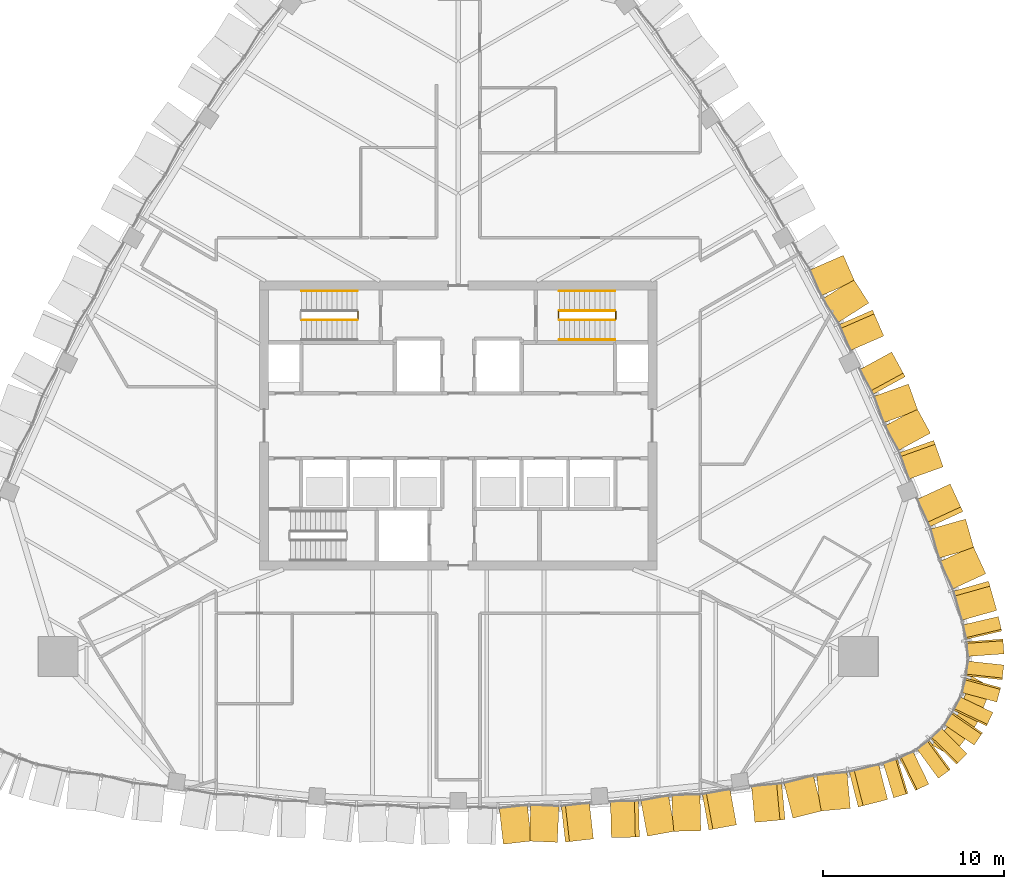
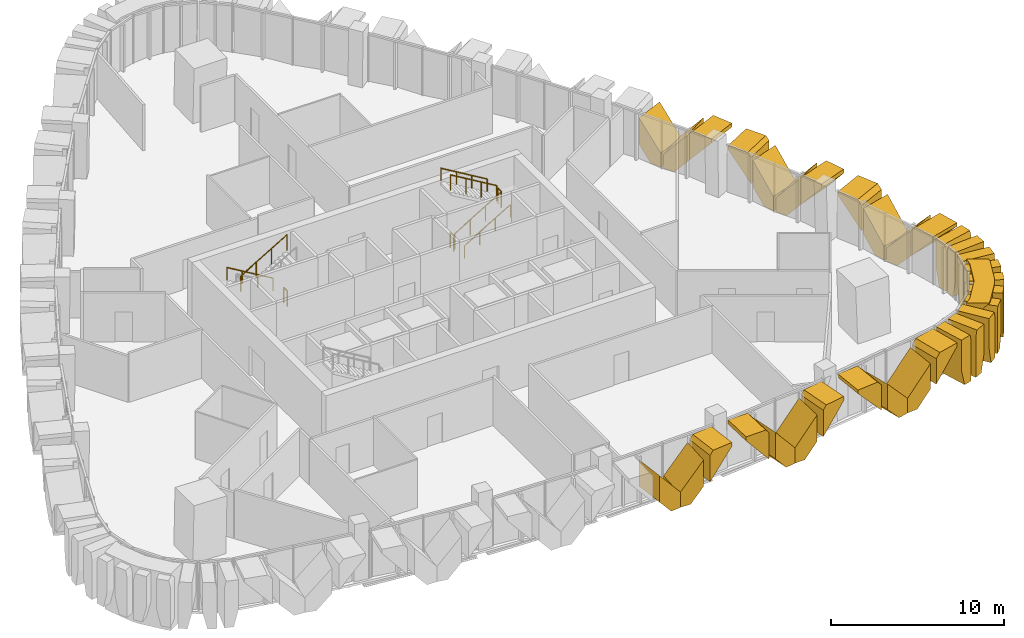
# One storey, part 17 of 19: 33 coverings, 9 railings.
"""IFC4 building model written with IfcOpenShell, lengths in metres."""

from ifc_helpers import new_model, si_unit, direction, frame, origin, origin_2d, place, context, subcontext, project, spatial, polyline, circle, outline, extrude, material, layer, layer_set, type_object, element, save


model = new_model("IFC4")

# Units and contexts
model_context = context("Model", 3, precision=1e-05, world=origin(), true_north=direction((0.0, 1.0)))
body_context = subcontext(model_context, "Body", "Model", "MODEL_VIEW")
ifc_project = project(units=[si_unit("LENGTHUNIT", "METRE"), si_unit("AREAUNIT", "SQUARE_METRE"), si_unit("VOLUMEUNIT", "CUBIC_METRE"), si_unit("PLANEANGLEUNIT", "RADIAN"), si_unit("MASSUNIT", "GRAM", prefix="KILO")], contexts=[model_context])

# Site, building, storey
site_placement = place(None, origin())
site = spatial("IfcSite", under=ifc_project, at=site_placement, CompositionType="ELEMENT")
building_placement = place(site_placement, origin())
building = spatial("IfcBuilding", under=site, at=building_placement, Name="Sierra Prisma Convention Tower", CompositionType="ELEMENT")
storey_placement = place(building_placement, frame((0.0, 0.0, 235.0)))
storey = spatial("IfcBuildingStorey", under=building, at=storey_placement, Name="L52", CompositionType="ELEMENT", Elevation=235.0)

# Coverings
ifc_material_1 = material(Name="Aluminium composite bronze anodised", Category="aluminium")
ifc_layer_1 = layer(ifc_material_1, 1.199951171875)
ifc_layer_set_1 = layer_set([ifc_layer_1], Name="Bronze corner pier")
covering_type_1 = type_object("IfcCoveringType", Name="Bronze corner pier", PredefinedType="CLADDING", material=ifc_layer_set_1)
covering_1_placement = place(storey_placement, frame((0.0, 0.0, -0.60009765625)))
element("IfcCovering", 1, at=covering_1_placement, inside=storey, type_object=covering_type_1, Name="Corner pier SE L52.1", PredefinedType="CLADDING", context=body_context, shape_type="SweptSolid", body=[
    extrude(outline(polyline([(29.423095703125, -14.772216796875), (28.76220703125, -16.411865234375), (28.593994140625, -16.702880859375), (27.504638671875, -18.094970703125), (27.29345703125, -18.298095703125), (26.160400390625, -17.64404296875), (26.559814453125, -17.355224609375), (27.649169921875, -15.963134765625), (28.31005859375, -14.32373046875), (28.3603515625, -13.83349609375), (29.493408203125, -14.48779296875), (29.423095703125, -14.772216796875)])), origin(), (0.0, 0.0, 1.0), 4.0),
])
ifc_material_2 = material(Name="Aluminium 6063-T6 bronze anodised", Category="aluminium")
ifc_layer_2 = layer(ifc_material_2, 2.0)
ifc_layer_set_2 = layer_set([ifc_layer_2], Name="Bronze crystal chevron frame")
covering_type_2 = type_object("IfcCoveringType", Name="Bronze crystal chevron frame", PredefinedType="CLADDING", material=ifc_layer_set_2)
covering_2_placement = place(storey_placement, frame((2.496337890625, -23.1845703125, 2.85302734375), z_axis=(0.11239015357, -0.993664155183, 9.224654e-06), x_axis=(1.03676e-06, -9.166208e-06, -0.999999999957)))
element("IfcCovering", 2, at=covering_2_placement, inside=storey, type_object=covering_type_2, Name="CW-2 chevron frame S4.1.2", PredefinedType="CLADDING", context=body_context, shape_type="SweptSolid", body=[
    extrude(outline(polyline([(0.0, 0.0), (1.8598632811708682, 0.0), (2.853027343956566, 0.8388066467819201), (2.8530273437131246, 1.5641081354339728), (1.8520507812557132, 1.5641081354339728), (0.0, 0.0)])), origin(), (0.0, 0.0, -1.0), 2.0),
])
covering_3_placement = place(storey_placement, frame((3.92626953125, -23.012939453125, 0.0), z_axis=(-0.044479301233, -0.999010306057, -1.2391676e-05), x_axis=(0.999010306134, -0.044479301236, -6.06e-10)))
element("IfcCovering", 3, at=covering_3_placement, inside=storey, type_object=covering_type_2, Name="CW-2 chevron frame S4.2.1", PredefinedType="CLADDING", context=body_context, shape_type="SweptSolid", body=[
    extrude(outline(polyline([(0.0, 0.0), (0.7253256485274129, 5.293955920339377e-23), (1.5640484759875073, 0.9931640635235155), (1.564048474861084, 2.8530273446307213), (-6.062398981989197e-10, 1.0009765624231481), (0.0, 0.0)])), origin(), (0.0, 0.0, -1.0), 2.0),
])
covering_4_placement = place(storey_placement, frame((7.486083984375, -22.8916015625, 3.280029296875), z_axis=(0.112370173205, -0.993666411588, 8.1585093e-05), x_axis=(-0.993666414895, -0.112370173578, 1.0687e-08)))
element("IfcCovering", 4, at=covering_4_placement, inside=storey, type_object=covering_type_2, Name="CW-2 chevron frame S4.2.2", PredefinedType="CLADDING", context=body_context, shape_type="SweptSolid", body=[
    extrude(outline(polyline([(0.0, 0.0), (1.333376599130333, 1.6940658945086007e-21), (1.56410813238236, 0.2731933769999483), (1.5641081125058587, 2.133056652060205), (-3.0031311269415766e-09, 0.2810058584397946), (0.0, 0.0)])), origin(), (0.0, 0.0, -1.0), 2.0),
])
covering_5_placement = place(storey_placement, frame((8.4775390625, -22.82421875, 3.280029296875), z_axis=(0.023691462687, -0.999719317899, 3.959562e-06), x_axis=(9.3808e-08, -3.958451e-06, -0.999999999992)))
element("IfcCovering", 5, at=covering_5_placement, inside=storey, type_object=covering_type_2, Name="CW-2 chevron frame S5.1.1", PredefinedType="CLADDING", context=body_context, shape_type="SweptSolid", body=[
    extrude(outline(polyline([(0.0, 0.0), (0.2839355468727742, 0.0), (2.1352539062374984, 1.556100806779041), (0.2702636718771186, 1.556100806779041), (-3.369114867585803e-11, 1.3289865055504513), (0.0, 0.0)])), origin(), (0.0, 0.0, -1.0), 2.0),
])
covering_6_placement = place(storey_placement, frame((10.474365234375, -22.741943359375, 2.855224609375), z_axis=(0.179821748669, -0.983699211491, -4.130661e-06), x_axis=(-7.42783e-07, 4.063328e-06, -0.999999999991)))
element("IfcCovering", 6, at=covering_6_placement, inside=storey, type_object=covering_type_2, Name="CW-2 chevron frame S5.1.2", PredefinedType="CLADDING", context=body_context, shape_type="SweptSolid", body=[
    extrude(outline(polyline([(0.0, 0.0), (1.8649902343590894, 0.0), (2.8552246094164877, 0.8321714326399974), (2.8552246093675375, 1.55588039083688), (1.8513183593761018, 1.55588039083688), (0.0, 0.0)])), origin(), (0.0, 0.0, -1.0), 2.0),
])
covering_7_placement = place(storey_placement, frame((11.88134765625, -22.474853515625, 0.0), z_axis=(0.023726256645, -0.999718491194, -5.5772971e-05), x_axis=(0.999718492749, 0.023726256682, -1.2329e-08)))
element("IfcCovering", 7, at=covering_7_placement, inside=storey, type_object=covering_type_2, Name="CW-2 chevron frame S5.2.1", PredefinedType="CLADDING", context=body_context, shape_type="SweptSolid", body=[
    extrude(outline(polyline([(0.0, 0.0), (0.7238403751786517, 0.0), (1.5561007935909732, 0.9902343957249272), (1.556100770597944, 2.855224627199285), (-1.2376925842659378e-08, 1.0039062484386123), (0.0, 0.0)])), origin(), (0.0, 0.0, -1.0), 2.0),
])
covering_8_placement = place(storey_placement, frame((15.40869140625, -22.11279296875, 3.280029296875), z_axis=(0.179828920151, -0.983697900149, -2.6835464e-05), x_axis=(-0.983697900503, -0.179828920216, 1.165e-09)))
element("IfcCovering", 8, at=covering_8_placement, inside=storey, type_object=covering_type_2, Name="CW-2 chevron frame S5.2.2", PredefinedType="CLADDING", context=body_context, shape_type="SweptSolid", body=[
    extrude(outline(polyline([(0.0, 0.0), (1.3288015312950088, -8.470329472543003e-22), (1.5558803905106013, 0.2702636737843039), (1.55588038833862, 2.135253907487775), (-3.306734175482425e-10, 0.28393554677276306), (0.0, 0.0)])), origin(), (0.0, 0.0, -1.0), 2.0),
])
covering_9_placement = place(storey_placement, frame((16.425048828125, -21.974853515625, 3.280029296875), z_axis=(0.091847381881, -0.995773095833, 7.550063e-06), x_axis=(6.93454e-07, -7.51815e-06, -0.999999999971)))
element("IfcCovering", 9, at=covering_9_placement, inside=storey, type_object=covering_type_2, Name="CW-2 chevron frame S6.1.1", PredefinedType="CLADDING", context=body_context, shape_type="SweptSolid", body=[
    extrude(outline(polyline([(0.0, 0.0), (0.24218749999309724, 0.0), (2.10351562495786, 1.6799523433085506), (0.3125000000089068, 1.6799523433085506), (-1.1589959302129582e-10, 1.3980004676444595), (0.0, 0.0)])), origin(), (0.0, 0.0, -1.0), 2.0),
])
covering_10_placement = place(storey_placement, frame((18.534912109375, -21.745361328125, 2.823486328125), z_axis=(0.246452552821, -0.96915485796, -2.2360922e-05), x_axis=(-5.510906e-06, 2.1671196e-05, -0.99999999975)))
element("IfcCovering", 10, at=covering_10_placement, inside=storey, type_object=covering_type_2, Name="CW-2 chevron frame S6.1.2", PredefinedType="CLADDING", context=body_context, shape_type="SweptSolid", body=[
    extrude(outline(polyline([(0.0, 0.0), (1.7910156245522366, 0.0), (2.8234863293119763, 0.931839763855919), (2.8234863279353597, 1.6799993357035765), (1.8613281250509046, 1.6799993357035765), (0.0, 0.0)])), origin(), (0.0, 0.0, -1.0), 2.0),
])
covering_11_placement = place(storey_placement, frame((20.04052734375, -21.352294921875, 0.0), z_axis=(0.091699177259, -0.995786754717, 4.417036e-06), x_axis=(0.995786754727, 0.09169917726, -7.2e-11)))
element("IfcCovering", 11, at=covering_11_placement, inside=storey, type_object=covering_type_2, Name="CW-2 chevron frame S6.2.1", PredefinedType="CLADDING", context=body_context, shape_type="SweptSolid", body=[
    extrude(outline(polyline([(0.0, 0.0), (0.7482687119719312, 5.293955920339377e-23), (1.6799299374846817, 1.0324707032556668), (1.6799299373561125, 2.8234863282381952), (-6.906920987395778e-11, 0.9621582031156141), (0.0, 0.0)])), origin(), (0.0, 0.0, -1.0), 2.0),
])
covering_12_placement = place(storey_placement, frame((23.778564453125, -20.708984375, 3.280029296875), z_axis=(0.246336925667, -0.969184253533, -4.1912138e-05), x_axis=(-0.969184254384, -0.246336925884, 2.555e-09)))
element("IfcCovering", 12, at=covering_12_placement, inside=storey, type_object=covering_type_2, Name="CW-2 chevron frame S6.2.2", PredefinedType="CLADDING", context=body_context, shape_type="SweptSolid", body=[
    extrude(outline(polyline([(0.0, 0.0), (1.3980844761362194, -1.6940658945086007e-21), (1.6799391793434755, 0.3125000045660859), (1.6799391747681043, 2.103515627993013), (-6.186979857481001e-10, 0.24218749978728343), (0.0, 0.0)])), origin(), (0.0, 0.0, -1.0), 2.0),
])
covering_13_placement = place(storey_placement, frame((24.115966796875, -20.61474609375, 3.280029296875), z_axis=(0.290285302395, -0.956940146095, 2.121251e-06), x_axis=(6.15768e-07, -2.02991e-06, -0.999999999998)))
element("IfcCovering", 13, at=covering_13_placement, inside=storey, type_object=covering_type_2, Name="CW-2 chevron frame SE1.1.1", PredefinedType="CLADDING", context=body_context, shape_type="SweptSolid", body=[
    extrude(outline(polyline([(0.0, 0.0), (2.12890624999521, 2.2540671692070004e-22), (3.2800292969609934, 0.27348207028688587), (3.280029296880249, 0.8250767368479938), (0.40991210938670614, 0.8250767368479938), (7.273987881035069e-11, 0.7276098836040649), (0.0, 0.0)])), origin(), (0.0, 0.0, -1.0), 2.0),
])
covering_14_placement = place(storey_placement, frame((25.318359375, -20.213623046875, 0.0), z_axis=(0.436387989898, -0.899758590971, 1.5706705e-05), x_axis=(0.899758591082, 0.436387989952, -3.135e-09)))
element("IfcCovering", 14, at=covering_14_placement, inside=storey, type_object=covering_type_2, Name="CW-2 chevron frame SE1.1.2", PredefinedType="CLADDING", context=body_context, shape_type="SweptSolid", body=[
    extrude(outline(polyline([(0.0, 0.0), (0.5518524248909228, 4.235164736271502e-22), (0.825155797333131, 1.1511230496576963), (0.8251557906584804, 3.2800292993950952), (0.09739863338085361, 3.2800292963720135), (-8.998531375331215e-09, 2.8701171871459703), (0.0, 0.0)])), origin(), (0.0, 0.0, -1.0), 2.0),
])
covering_15_placement = place(storey_placement, frame((26.589599609375, -19.535400390625, 3.280029296875), z_axis=(0.590432676728, -0.807086893847, 5.692824e-06), x_axis=(3.361229e-06, -4.594603e-06, -0.999999999984)))
element("IfcCovering", 15, at=covering_15_placement, inside=storey, type_object=covering_type_2, Name="CW-2 chevron frame SE2.1.1", PredefinedType="CLADDING", context=body_context, shape_type="SweptSolid", body=[
    extrude(outline(polyline([(0.0, 0.0), (2.128906249965503, 0.0), (3.2800292963719144, 0.273211783320086), (3.2800292967823177, 0.8249119017694206), (0.40991210932882516, 0.8249119017694206), (-6.703878553115227e-10, 0.7275892311502228), (0.0, 0.0)])), origin(), (0.0, 0.0, -1.0), 2.0),
])
covering_16_placement = place(storey_placement, frame((27.98046875, -18.367919921875, 0.0), z_axis=(0.70944926401, -0.704756512049, 2.2811465e-05), x_axis=(0.162868820744, 0.163984804499, 0.972924833234)))
element("IfcCovering", 16, at=covering_16_placement, inside=storey, type_object=covering_type_2, Name="CW-2 chevron frame SE2.1.2", PredefinedType="CLADDING", context=body_context, shape_type="SweptSolid", body=[
    extrude(outline(polyline([(0.0, 0.0), (1.1831572284767489, 5.551115123125783e-17), (3.2544229867284997, 0.49203656126801276), (3.086206372007543, 1.2001573420860672), (2.664889322861617, 1.2001474343700198), (-0.12751896314842726, 0.5368008960366761), (0.0, 0.0)])), origin(), (0.0, 0.0, -1.0), 2.0),
])
covering_17_placement = place(storey_placement, frame((28.56689453125, -17.698974609375, 3.280029296875), z_axis=(0.824133575524, -0.566395488708, 8.08456e-06), x_axis=(6.662757e-06, -4.579058e-06, -0.999999999967)))
element("IfcCovering", 17, at=covering_17_placement, inside=storey, type_object=covering_type_2, Name="CW-2 chevron frame SE3.1.1", PredefinedType="CLADDING", context=body_context, shape_type="SweptSolid", body=[
    extrude(outline(polyline([(0.0, 0.0), (2.128906249930427, 0.0), (3.280029296210516, 0.27338135500147903), (3.280029296728782, 0.8250226985673113), (0.4099121093225777, 0.8250226985673113), (-9.794638996906666e-10, 0.7277763135006912), (0.0, 0.0)])), origin(), (0.0, 0.0, -1.0), 2.0),
])
covering_18_placement = place(storey_placement, frame((29.255859375, -16.635009765625, 0.0), z_axis=(0.902613747694, -0.43045141704, -6.468359e-06), x_axis=(0.430451417049, 0.902613747713, 3.5e-10)))
element("IfcCovering", 18, at=covering_18_placement, inside=storey, type_object=covering_type_2, Name="CW-2 chevron frame SE3.1.2", PredefinedType="CLADDING", context=body_context, shape_type="SweptSolid", body=[
    extrude(outline(polyline([(0.0, 0.0), (0.5517971860652339, 0.0), (0.8252395892892497, 1.151123046555366), (0.8252395900343025, 3.2800292965108295), (0.09740688418236133, 3.280029297225606), (1.0044542393625976e-09, 2.870117187439958), (0.0, 0.0)])), origin(), (0.0, 0.0, -1.0), 2.0),
])
covering_19_placement = place(storey_placement, frame((29.82568359375, -15.311767578125, 3.280029296875), z_axis=(0.965104966905, -0.261863327058, -2.823205e-05), x_axis=(-2.7246892e-05, 7.392939e-06, -0.999999999601)))
element("IfcCovering", 19, at=covering_19_placement, inside=storey, type_object=covering_type_2, Name="CW-2 chevron frame SE4.1.1", PredefinedType="CLADDING", context=body_context, shape_type="SweptSolid", body=[
    extrude(outline(polyline([(0.0, 0.0), (2.128906249151579, 0.0), (3.2800292976252754, 0.2734385801999152), (3.280029296121146, 0.8251761347260835), (0.40991210976495757, 0.8251761347260835), (-2.5239784052738485e-09, 0.7278130491715276), (0.0, 0.0)])), origin(), (0.0, 0.0, -1.0), 2.0),
])
covering_20_placement = place(storey_placement, frame((30.1240234375, -14.07958984375, 0.0), z_axis=(0.994176209431, -0.107766711794, 2.07337e-05), x_axis=(0.107766711817, 0.994176209645, -4.91e-09)))
element("IfcCovering", 20, at=covering_20_placement, inside=storey, type_object=covering_type_2, Name="CW-2 chevron frame SE4.1.2", PredefinedType="CLADDING", context=body_context, shape_type="SweptSolid", body=[
    extrude(outline(polyline([(0.0, 0.0), (0.5515661241567573, 0.0), (0.8248693721070666, 1.1511230512252322), (0.8248693616551134, 3.280029300767638), (0.09724796915719572, 3.2800292962730464), (-1.4090958968652223e-08, 2.8701171868830877), (0.0, 0.0)])), origin(), (0.0, 0.0, -1.0), 2.0),
])
covering_21_placement = place(storey_placement, frame((30.22412109375, -12.642578125, 3.280029296875), z_axis=(0.99741428059, 0.07186620825, -3.1403443e-05), x_axis=(-3.1322243e-05, -2.256846e-06, -0.999999999507)))
element("IfcCovering", 21, at=covering_21_placement, inside=storey, type_object=covering_type_2, Name="CW-2 chevron frame SE5.1.1", PredefinedType="CLADDING", context=body_context, shape_type="SweptSolid", body=[
    extrude(outline(polyline([(0.0, 0.0), (2.1289062489502615, 9.016268676828002e-22), (3.2800292992137705, 0.27342112178708766), (3.2800292961062407, 0.8251335522806096), (0.4099121100214615, 0.8251335522806096), (-1.622161737844618e-09, 0.7277080142164045), (0.0, 0.0)])), origin(), (0.0, 0.0, -1.0), 2.0),
])
covering_22_placement = place(storey_placement, frame((30.098388671875, -11.381103515625, 0.0), z_axis=(0.973841573523, 0.227228054118, 3.3163125e-05), x_axis=(-0.227228054242, 0.973841574059, -4.712e-09)))
element("IfcCovering", 22, at=covering_22_placement, inside=storey, type_object=covering_type_2, Name="CW-2 chevron frame SE5.1.2", PredefinedType="CLADDING", context=body_context, shape_type="SweptSolid", body=[
    extrude(outline(polyline([(0.0, 0.0), (0.5515184215711887, 0.0), (0.8250546249187435, 1.1511230509622112), (0.8250546148867783, 3.2800292997915337), (0.09729692879921988, 3.2800292992144997), (-1.3524745572044173e-08, 2.8701171859217327), (0.0, 0.0)])), origin(), (0.0, 0.0, -1.0), 2.0),
])
covering_23_placement = place(storey_placement, frame((29.82373046875, -10.23828125, 3.280029296875), z_axis=(0.962524995153, 0.271192980653, 3.0835866e-05), x_axis=(2.9680292e-05, 8.36247e-06, -0.999999999525)))
element("IfcCovering", 23, at=covering_23_placement, inside=storey, type_object=covering_type_2, Name="CW-2 chevron frame NE1.1.1", PredefinedType="CLADDING", context=body_context, shape_type="SweptSolid", body=[
    extrude(outline(polyline([(0.0, 0.0), (0.24218749988485794, 0.0), (2.1035156242970765, 1.679894811539578), (0.31250000014857043, 1.679894811539578), (-1.9332725116590684e-09, 1.3978608276276152), (0.0, 0.0)])), origin(), (0.0, 0.0, -1.0), 2.0),
])
covering_24_placement = place(storey_placement, frame((29.21484375, -8.205322265625, 2.823486328125), z_axis=(0.908277114343, 0.418369074757, -2.9107345e-05), x_axis=(-2.6437536e-05, -1.2177613e-05, -0.999999999576)))
element("IfcCovering", 24, at=covering_24_placement, inside=storey, type_object=covering_type_2, Name="CW-2 chevron frame NE1.1.2", PredefinedType="CLADDING", context=body_context, shape_type="SweptSolid", body=[
    extrude(outline(polyline([(0.0, 0.0), (1.791015624241292, 3.0340984868445055e-21), (2.8234863301362583, 0.9316952862102832), (2.823486327803666, 1.6799845053188087), (1.8613281250862546, 1.6799845053188087), (0.0, 0.0)])), origin(), (0.0, 0.0, -1.0), 2.0),
])
covering_25_placement = place(storey_placement, frame((28.35205078125, -6.075927734375, 0.0), z_axis=(0.962524933238, 0.27119320198, -9.707092e-06), x_axis=(-0.181698286461, 0.644914163591, 0.742341871577)))
element("IfcCovering", 25, at=covering_25_placement, inside=storey, type_object=covering_type_2, Name="CW-2 chevron frame NE1.2.1", PredefinedType="CLADDING", context=body_context, shape_type="SweptSolid", body=[
    extrude(outline(polyline([(0.0, 0.0), (1.3908291353566362, -1.1102230246251565e-16), (2.720375026442734, 1.2000186216004969), (0.2130679129406361, 1.199945385620795), (-0.5011824083203116, 0.5552788932915202), (0.0, 0.0)])), origin(), (0.0, 0.0, -1.0), 2.0),
])
covering_26_placement = place(storey_placement, frame((27.2431640625, -3.237060546875, 3.280029296875), z_axis=(0.908268039826, 0.418388775438, -2.0437365e-05), x_axis=(0.418388775525, -0.908268040016, 6.07e-10)))
element("IfcCovering", 26, at=covering_26_placement, inside=storey, type_object=covering_type_2, Name="CW-2 chevron frame NE1.2.2", PredefinedType="CLADDING", context=body_context, shape_type="SweptSolid", body=[
    extrude(outline(polyline([(0.0, 0.0), (1.39803749567423, -1.6940658945086007e-21), (1.679984505385638, 0.3125000010857728), (1.6799845042976824, 2.103515625711732), (-1.4711720144069648e-10, 0.24218749994942088), (0.0, 0.0)])), origin(), (0.0, 0.0, -1.0), 2.0),
])
covering_27_placement = place(storey_placement, frame((26.854736328125, -2.2880859375, 3.280029296875), z_axis=(0.94178961579, 0.336202794259, -2.6894941e-05), x_axis=(-2.5329376e-05, -9.042154e-06, -0.999999999638)))
element("IfcCovering", 27, at=covering_27_placement, inside=storey, type_object=covering_type_2, Name="CW-2 chevron frame NE2.1.1", PredefinedType="CLADDING", context=body_context, shape_type="SweptSolid", body=[
    extrude(outline(polyline([(0.0, 0.0), (0.2839355467723093, 0.0), (2.135253905673237, 1.556163489742978), (0.270263671972746, 1.556163489742978), (-1.5543993674280496e-09, 1.3290543153359502), (0.0, 0.0)])), origin(), (0.0, 0.0, -1.0), 2.0),
])
covering_28_placement = place(storey_placement, frame((26.150390625, -0.41796875, 2.855224609375), z_axis=(0.877649753953, 0.479302523867, -4.14155e-07), x_axis=(-3.63483e-07, -1.98506e-07, -1.0)))
element("IfcCovering", 28, at=covering_28_placement, inside=storey, type_object=covering_type_2, Name="CW-2 chevron frame NE2.1.2", PredefinedType="CLADDING", context=body_context, shape_type="SweptSolid", body=[
    extrude(outline(polyline([(0.0, 0.0), (1.8649902343748401, 4.936588046322327e-23), (2.8552246093754174, 0.8323018524969957), (2.855224609374925, 1.5561137534252525), (1.851318359375011, 1.5561137534252525), (0.0, 0.0)])), origin(), (0.0, 0.0, -1.0), 2.0),
])
covering_29_placement = place(storey_placement, frame((25.455322265625, 0.83447265625, 0.0), z_axis=(0.941811300122, 0.336142043358, -4.0616217e-05), x_axis=(-0.336142043636, 0.941811300899, -6.539e-09)))
element("IfcCovering", 29, at=covering_29_placement, inside=storey, type_object=covering_type_2, Name="CW-2 chevron frame NE2.2.1", PredefinedType="CLADDING", context=body_context, shape_type="SweptSolid", body=[
    extrude(outline(polyline([(0.0, 0.0), (0.7237965746127528, 0.0), (1.5558514792334144, 0.9902343859901674), (1.5558514670386376, 2.8552246188268517), (-6.564330707452266e-09, 1.0039062491719395), (0.0, 0.0)])), origin(), (0.0, 0.0, -1.0), 2.0),
])
covering_30_placement = place(storey_placement, frame((24.005126953125, 4.0703125, 3.280029296875), z_axis=(0.877652365836, 0.479297740095, 3.2899308e-05), x_axis=(0.479297740355, -0.877652366311, 1.75e-09)))
element("IfcCovering", 30, at=covering_30_placement, inside=storey, type_object=covering_type_2, Name="CW-2 chevron frame NE2.2.2", PredefinedType="CLADDING", context=body_context, shape_type="SweptSolid", body=[
    extrude(outline(polyline([(0.0, 0.0), (1.3290797877974194, 3.3881317890172014e-21), (1.5561137529269362, 0.2702636747444977), (1.5561137496631594, 2.1352539081101987), (-4.968938949516944e-10, 0.28393554672133914), (0.0, 0.0)])), origin(), (0.0, 0.0, -1.0), 2.0),
])
covering_31_placement = place(storey_placement, frame((23.567626953125, 4.96240234375, 3.280029296875), z_axis=(0.916758965602, 0.399440853027, -6.2612285e-05), x_axis=(-5.7400374e-05, -2.5009905e-05, -0.99999999804)))
element("IfcCovering", 31, at=covering_31_placement, inside=storey, type_object=covering_type_2, Name="CW-2 chevron frame NE3.1.1", PredefinedType="CLADDING", context=body_context, shape_type="SweptSolid", body=[
    extrude(outline(polyline([(0.0, 0.0), (0.28100585882418666, -9.520848850485349e-22), (2.1330566375148905, 1.5640367579193126), (0.27319335991049976, 1.5640367579193126), (-8.392845578906343e-09, 1.3333478154124245), (0.0, 0.0)])), origin(), (0.0, 0.0, -1.0), 2.0),
])
covering_32_placement = place(storey_placement, frame((22.734375, 6.78759765625, 2.85302734375), z_axis=(0.842977815088, 0.537948327674, 4.773512e-06), x_axis=(4.023965e-06, 2.567903e-06, -0.999999999989)))
element("IfcCovering", 32, at=covering_32_placement, inside=storey, type_object=covering_type_2, Name="CW-2 chevron frame NE3.1.2", PredefinedType="CLADDING", context=body_context, shape_type="SweptSolid", body=[
    extrude(outline(polyline([(0.0, 0.0), (1.85986328122881, -7.876827383036206e-22), (2.853027343805314, 0.8387188139830437), (2.8530273437401257, 1.5639282565212245), (1.8520507812515297, 1.5639282565212245), (0.0, 0.0)])), origin(), (0.0, 0.0, -1.0), 2.0),
])
covering_33_placement = place(storey_placement, frame((21.951416015625, 7.996337890625, 0.0), z_axis=(0.916753041782, 0.399454453405, -6.138379e-06), x_axis=(-0.399454453412, 0.9167530418, -1.49e-10)))
element("IfcCovering", 33, at=covering_33_placement, inside=storey, type_object=covering_type_2, Name="CW-2 chevron frame NE3.2.1", PredefinedType="CLADDING", context=body_context, shape_type="SweptSolid", body=[
    extrude(outline(polyline([(0.0, 0.0), (0.7254364555817624, 0.0), (1.5640367578533894, 0.9931640627511177), (1.5640367575770249, 2.8530273439660783), (-1.4873919669829783e-10, 1.0009765624811418), (0.0, 0.0)])), origin(), (0.0, 0.0, -1.0), 2.0),
])

# Railings
ifc_material_3 = material(Name="Stainless steel", Category="steel")
railing_type_1 = type_object("IfcRailingType", Name="Exit stair handrail", PredefinedType="HANDRAIL", material=ifc_material_3)
railing_1_placement = place(storey_placement, frame((-5.60009765625, 7.449951171875, 0.166748046875)))
element("IfcRailing", 34, at=railing_1_placement, inside=storey, type_object=railing_type_1, Name="L52 S3 stair handrail 1", PredefinedType="HANDRAIL", context=body_context, shape_type="SweptSolid", body=[
    extrude(circle(Radius=0.02392578125, at=origin_2d()), frame((0.0, 0.0, 0.8759765625), z_axis=(-0.859290745958, 0.0, 0.51148745235), x_axis=(0.0, -1.0, 0.0)), (0.0, 0.0, 1.0), 3.584228515625),
    extrude(circle(Radius=0.02099609375, at=origin_2d()), origin(), (0.0, 0.0, 1.0), 0.851806640625),
    extrude(circle(Radius=0.02099609375, at=origin_2d()), frame((-1.026611328125, 0.0, 0.611083984375)), (0.0, 0.0, 1.0), 0.851806640625),
    extrude(circle(Radius=0.02099609375, at=origin_2d()), frame((-2.05322265625, 0.0, 1.22216796875)), (0.0, 0.0, 1.0), 0.851806640625),
    extrude(circle(Radius=0.02099609375, at=origin_2d()), frame((-3.079833984375, 0.0, 1.833251953125)), (0.0, 0.0, 1.0), 0.851806640625),
])
railing_2_placement = place(storey_placement, frame((5.60009765625, 4.75, 0.166748046875)))
element("IfcRailing", 35, at=railing_2_placement, inside=storey, type_object=railing_type_1, Name="L52 S4 stair handrail 1", PredefinedType="HANDRAIL", context=body_context, shape_type="SweptSolid", body=[
    extrude(circle(Radius=0.02392578125, at=origin_2d()), frame((0.0, 0.0, 0.8759765625), z_axis=(0.859290745958, 0.0, 0.51148745235), x_axis=(0.0, 1.0, 0.0)), (0.0, 0.0, 1.0), 3.584228515625),
    extrude(circle(Radius=0.02099609375, at=origin_2d()), origin(), (0.0, 0.0, 1.0), 0.851806640625),
    extrude(circle(Radius=0.02099609375, at=origin_2d()), frame((1.026611328125, 0.0, 0.611083984375)), (0.0, 0.0, 1.0), 0.851806640625),
    extrude(circle(Radius=0.02099609375, at=origin_2d()), frame((2.05322265625, 0.0, 1.22216796875)), (0.0, 0.0, 1.0), 0.851806640625),
    extrude(circle(Radius=0.02099609375, at=origin_2d()), frame((3.079833984375, 0.0, 1.833251953125)), (0.0, 0.0, 1.0), 0.851806640625),
])
railing_3_placement = place(storey_placement, frame((8.679931640625, 7.449951171875, 2.166748046875)))
element("IfcRailing", 36, at=railing_3_placement, inside=storey, type_object=railing_type_1, Name="L52 S4 stair handrail 2", PredefinedType="HANDRAIL", context=body_context, shape_type="SweptSolid", body=[
    extrude(circle(Radius=0.02392578125, at=origin_2d()), frame((0.0, 0.0, 0.8759765625), z_axis=(-0.859290745958, 0.0, 0.51148745235), x_axis=(0.0, -1.0, 0.0)), (0.0, 0.0, 1.0), 3.584228515625),
    extrude(circle(Radius=0.02099609375, at=origin_2d()), origin(), (0.0, 0.0, 1.0), 0.851806640625),
    extrude(circle(Radius=0.02099609375, at=origin_2d()), frame((-1.026611328125, 0.0, 0.611083984375)), (0.0, 0.0, 1.0), 0.851806640625),
    extrude(circle(Radius=0.02099609375, at=origin_2d()), frame((-2.05322265625, 0.0, 1.22216796875)), (0.0, 0.0, 1.0), 0.851806640625),
    extrude(circle(Radius=0.02099609375, at=origin_2d()), frame((-3.079833984375, 0.0, 1.833251953125)), (0.0, 0.0, 1.0), 0.851806640625),
])
ifc_material_4 = material(Name="Stainless steel", Category="steel")
railing_type_2 = type_object("IfcRailingType", Name="Stair guard 1100", PredefinedType="GUARDRAIL", material=ifc_material_4)
railing_4_placement = place(storey_placement, frame((-8.679931640625, 5.85009765625, 2.166748046875)))
element("IfcRailing", 37, at=railing_4_placement, inside=storey, type_object=railing_type_2, Name="L52 S3 stair guard 3", PredefinedType="GUARDRAIL", context=body_context, shape_type="SweptSolid", body=[
    extrude(circle(Radius=0.02392578125, at=origin_2d()), frame((0.0, 0.0, 1.076171875), z_axis=(0.859290745958, 0.0, 0.51148745235), x_axis=(0.0, 1.0, 0.0)), (0.0, 0.0, 1.0), 3.584228515625),
    extrude(circle(Radius=0.02099609375, at=origin_2d()), origin(), (0.0, 0.0, 1.0), 1.052001953125),
    extrude(circle(Radius=0.02099609375, at=origin_2d()), frame((1.026611328125, 0.0, 0.611083984375)), (0.0, 0.0, 1.0), 1.052001953125),
    extrude(circle(Radius=0.02099609375, at=origin_2d()), frame((2.05322265625, 0.0, 1.22216796875)), (0.0, 0.0, 1.0), 1.052001953125),
    extrude(circle(Radius=0.02099609375, at=origin_2d()), frame((3.079833984375, 0.0, 1.833251953125)), (0.0, 0.0, 1.0), 1.052001953125),
])
railing_5_placement = place(storey_placement, frame((-5.550048828125, 6.300048828125, 0.0)))
element("IfcRailing", 38, at=railing_5_placement, inside=storey, type_object=railing_type_2, Name="L52 S3 stair guard 4", PredefinedType="GUARDRAIL", context=body_context, shape_type="SweptSolid", body=[
    extrude(circle(Radius=0.02392578125, at=origin_2d()), frame((0.0, 0.0, 1.076171875), z_axis=(0.0, -1.0, 0.0), x_axis=(1.0, 0.0, 0.0)), (0.0, 0.0, 1.0), 0.400146484375),
    extrude(circle(Radius=0.02099609375, at=origin_2d()), origin(), (0.0, 0.0, 1.0), 1.052001953125),
    extrude(circle(Radius=0.02099609375, at=origin_2d()), frame((0.0, -0.400146484375, 0.0)), (0.0, 0.0, 1.0), 1.052001953125),
])
railing_6_placement = place(storey_placement, frame((5.60009765625, 5.85009765625, 0.166748046875)))
element("IfcRailing", 39, at=railing_6_placement, inside=storey, type_object=railing_type_2, Name="L52 S4 stair guard 1", PredefinedType="GUARDRAIL", context=body_context, shape_type="SweptSolid", body=[
    extrude(circle(Radius=0.02392578125, at=origin_2d()), frame((0.0, 0.0, 1.076171875), z_axis=(0.859290745958, 0.0, 0.51148745235), x_axis=(0.0, 1.0, 0.0)), (0.0, 0.0, 1.0), 3.584228515625),
    extrude(circle(Radius=0.02099609375, at=origin_2d()), origin(), (0.0, 0.0, 1.0), 1.052001953125),
    extrude(circle(Radius=0.02099609375, at=origin_2d()), frame((1.026611328125, 0.0, 0.611083984375)), (0.0, 0.0, 1.0), 1.052001953125),
    extrude(circle(Radius=0.02099609375, at=origin_2d()), frame((2.05322265625, 0.0, 1.22216796875)), (0.0, 0.0, 1.0), 1.052001953125),
    extrude(circle(Radius=0.02099609375, at=origin_2d()), frame((3.079833984375, 0.0, 1.833251953125)), (0.0, 0.0, 1.0), 1.052001953125),
])
railing_7_placement = place(storey_placement, frame((8.72998046875, 5.89990234375, 2.0)))
element("IfcRailing", 40, at=railing_7_placement, inside=storey, type_object=railing_type_2, Name="L52 S4 stair guard 2", PredefinedType="GUARDRAIL", context=body_context, shape_type="SweptSolid", body=[
    extrude(circle(Radius=0.02392578125, at=origin_2d()), frame((0.0, 0.0, 1.076171875), z_axis=(0.0, 1.0, 0.0), x_axis=(-1.0, 0.0, 0.0)), (0.0, 0.0, 1.0), 0.400146484375),
    extrude(circle(Radius=0.02099609375, at=origin_2d()), origin(), (0.0, 0.0, 1.0), 1.052001953125),
    extrude(circle(Radius=0.02099609375, at=origin_2d()), frame((0.0, 0.400146484375, 0.0)), (0.0, 0.0, 1.0), 1.052001953125),
])
railing_8_placement = place(storey_placement, frame((8.679931640625, 6.35009765625, 2.166748046875)))
element("IfcRailing", 41, at=railing_8_placement, inside=storey, type_object=railing_type_2, Name="L52 S4 stair guard 3", PredefinedType="GUARDRAIL", context=body_context, shape_type="SweptSolid", body=[
    extrude(circle(Radius=0.02392578125, at=origin_2d()), frame((0.0, 0.0, 1.076171875), z_axis=(-0.859290745958, 0.0, 0.51148745235), x_axis=(0.0, -1.0, 0.0)), (0.0, 0.0, 1.0), 3.584228515625),
    extrude(circle(Radius=0.02099609375, at=origin_2d()), origin(), (0.0, 0.0, 1.0), 1.052001953125),
    extrude(circle(Radius=0.02099609375, at=origin_2d()), frame((-1.026611328125, 0.0, 0.611083984375)), (0.0, 0.0, 1.0), 1.052001953125),
    extrude(circle(Radius=0.02099609375, at=origin_2d()), frame((-2.05322265625, 0.0, 1.22216796875)), (0.0, 0.0, 1.0), 1.052001953125),
    extrude(circle(Radius=0.02099609375, at=origin_2d()), frame((-3.079833984375, 0.0, 1.833251953125)), (0.0, 0.0, 1.0), 1.052001953125),
])
railing_9_placement = place(storey_placement, frame((5.550048828125, 5.89990234375, 0.0)))
element("IfcRailing", 42, at=railing_9_placement, inside=storey, type_object=railing_type_2, Name="L52 S4 stair guard 4", PredefinedType="GUARDRAIL", context=body_context, shape_type="SweptSolid", body=[
    extrude(circle(Radius=0.02392578125, at=origin_2d()), frame((0.0, 0.0, 1.076171875), z_axis=(0.0, 1.0, 0.0), x_axis=(-1.0, 0.0, 0.0)), (0.0, 0.0, 1.0), 0.400146484375),
    extrude(circle(Radius=0.02099609375, at=origin_2d()), origin(), (0.0, 0.0, 1.0), 1.052001953125),
    extrude(circle(Radius=0.02099609375, at=origin_2d()), frame((0.0, 0.400146484375, 0.0)), (0.0, 0.0, 1.0), 1.052001953125),
])

save(model, "model.ifc")
